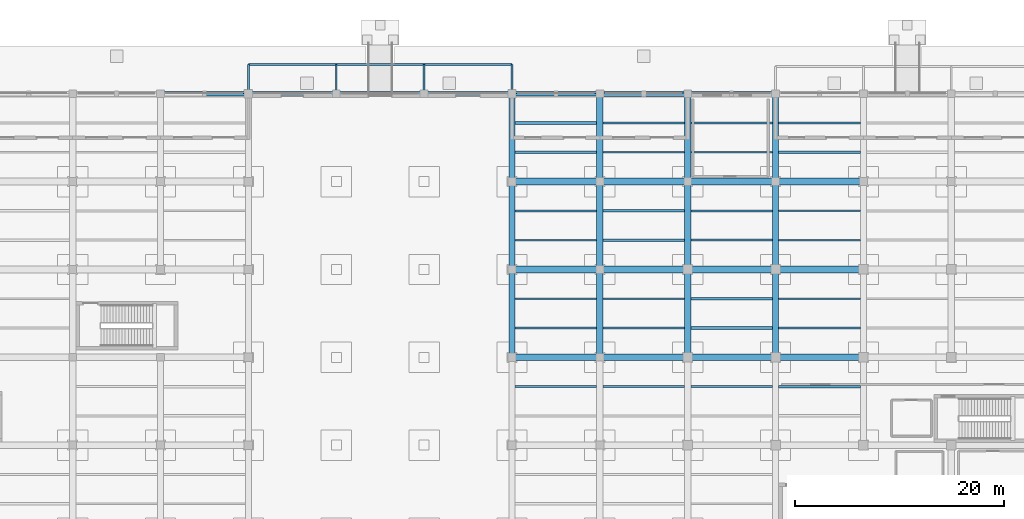
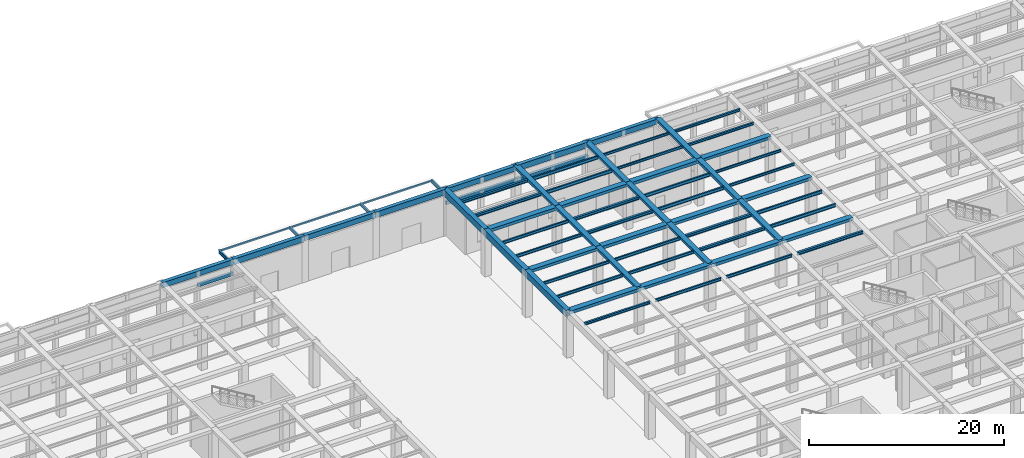
# One storey, part 11 of 43: 68 beams, 3 members.
"""IFC4 building model written with IfcOpenShell, lengths in metres."""

from ifc_helpers import new_model, si_unit, direction, frame, origin, origin_2d, place, context, subcontext, project, spatial, rectangle, hollow_rectangle, i_section, extrude, material, material_profile, profile_set, type_object, element, save


model = new_model("IFC4")

# Units and contexts
model_context = context("Model", 3, precision=1e-05, world=origin(), true_north=direction((0.0, 1.0)))
body_context = subcontext(model_context, "Body", "Model", "MODEL_VIEW")
ifc_project = project(units=[si_unit("LENGTHUNIT", "METRE"), si_unit("AREAUNIT", "SQUARE_METRE"), si_unit("VOLUMEUNIT", "CUBIC_METRE"), si_unit("PLANEANGLEUNIT", "RADIAN"), si_unit("MASSUNIT", "GRAM", prefix="KILO")], contexts=[model_context])

# Site, building, storey
site_placement = place(None, origin())
site = spatial("IfcSite", under=ifc_project, at=site_placement, CompositionType="ELEMENT")
building_placement = place(site_placement, origin())
building = spatial("IfcBuilding", under=site, at=building_placement, Name="Almacenes y Pasaje Nevantli", CompositionType="ELEMENT")
storey_placement = place(building_placement, origin())
storey = spatial("IfcBuildingStorey", under=building, at=storey_placement, Name="L01", CompositionType="ELEMENT", Elevation=0.0)

# Beams
ifc_material_1 = material(Name="Concrete C35/45", Category="concrete")
ifc_material_profile_1 = material_profile(ifc_material_1, rectangle(XDim=0.449951171875, YDim=0.64990234375, at=origin_2d()), Name="RC-BM-450x650")
ifc_profile_set_1 = profile_set([ifc_material_profile_1], Name="Concrete C35/45")
beam_type_1 = type_object("IfcBeamType", Name="BM-RC-450x650", PredefinedType="SPANDREL", material=ifc_profile_set_1)
for number, where, z_axis, x_axis, name in (
    (1, (58.800048828125, 117.60009765625, 5.375), (1.0, 0.0, 0.0), (0.0, 1.0, 0.0), "L01 East-West Reinforced Concrete Beam #1439"),
    (2, (75.60009765625, 117.60009765625, 5.375), (1.0, 0.0, 0.0), (0.0, 1.0, 0.0), "L01 East-West Reinforced Concrete Beam #1441"),
):
    element("IfcBeam", number, at=place(storey_placement, frame(where, z_axis=z_axis, x_axis=x_axis)), inside=storey, type_object=beam_type_1, Name=name, PredefinedType="SPANDREL", context=body_context, shape_type="SweptSolid", body=[
        extrude(rectangle(XDim=0.449951171875, YDim=0.64990234375, at=origin_2d()), origin(), (0.0, 0.0, 1.0), 8.39990234375),
    ])
for number, where, z_axis, x_axis, name in (
    (3, (92.39990234375, 117.60009765625, 5.375), (1.0, 0.0, 0.0), (0.0, 1.0, 0.0), "L01 East-West Reinforced Concrete Beam #1443"),
    (4, (109.199951171875, 117.60009765625, 5.375), (1.0, 0.0, 0.0), (0.0, 1.0, 0.0), "L01 East-West Reinforced Concrete Beam #1445"),
):
    element("IfcBeam", number, at=place(storey_placement, frame(where, z_axis=z_axis, x_axis=x_axis)), inside=storey, type_object=beam_type_1, Name=name, PredefinedType="SPANDREL", context=body_context, shape_type="SweptSolid", body=[
        extrude(rectangle(XDim=0.449951171875, YDim=0.64990234375, at=origin_2d()), origin(), (0.0, 0.0, 1.0), 8.400146484375),
    ])
ifc_material_2 = material(Name="Concrete C35/45", Category="concrete")
ifc_material_profile_2 = material_profile(ifc_material_2, rectangle(XDim=0.449951171875, YDim=0.699951171875, at=origin_2d()), Name="RC-BM-450x700")
ifc_profile_set_2 = profile_set([ifc_material_profile_2], Name="Concrete C35/45")
beam_type_2 = type_object("IfcBeamType", Name="BM-RC-450x700", PredefinedType="SPANDREL", material=ifc_profile_set_2)
beam_1_placement = place(storey_placement, frame((67.199951171875, 117.60009765625, 5.35009765625), z_axis=(1.0, 0.0, 0.0), x_axis=(0.0, 1.0, 0.0)))
element("IfcBeam", 5, at=beam_1_placement, inside=storey, type_object=beam_type_2, Name="L01 East-West Reinforced Concrete Beam #1440", PredefinedType="SPANDREL", context=body_context, shape_type="SweptSolid", body=[
    extrude(rectangle(XDim=0.449951171875, YDim=0.699951171875, at=origin_2d()), origin(), (0.0, 0.0, 1.0), 8.400146484375),
])
for number, where, z_axis, x_axis, name in (
    (6, (84.0, 117.60009765625, 5.35009765625), (1.0, 0.0, 0.0), (0.0, 1.0, 0.0), "L01 East-West Reinforced Concrete Beam #1442"),
    (7, (100.800048828125, 117.60009765625, 5.35009765625), (1.0, 0.0, 0.0), (0.0, 1.0, 0.0), "L01 East-West Reinforced Concrete Beam #1444"),
):
    element("IfcBeam", number, at=place(storey_placement, frame(where, z_axis=z_axis, x_axis=x_axis)), inside=storey, type_object=beam_type_2, Name=name, PredefinedType="SPANDREL", context=body_context, shape_type="SweptSolid", body=[
        extrude(rectangle(XDim=0.449951171875, YDim=0.699951171875, at=origin_2d()), origin(), (0.0, 0.0, 1.0), 8.39990234375),
    ])
ifc_material_3 = material(Name="Concrete C35/45", Category="concrete")
ifc_material_profile_3 = material_profile(ifc_material_3, rectangle(XDim=0.550048828125, YDim=0.800048828125, at=origin_2d()), Name="RC-BM-550x800")
ifc_profile_set_3 = profile_set([ifc_material_profile_3], Name="Concrete C35/45")
beam_type_3 = type_object("IfcBeamType", Name="BM-RC-550x800", PredefinedType="BEAM", material=ifc_profile_set_3)
beam_2_placement = place(storey_placement, frame((92.39990234375, 92.39990234375, 5.300048828125), z_axis=(0.0, 1.0, 0.0), x_axis=(-1.0, 0.0, 0.0)))
element("IfcBeam", 8, at=beam_2_placement, inside=storey, type_object=beam_type_3, Name="L01 North-South Reinforced Concrete Beam #1566", PredefinedType="BEAM", context=body_context, shape_type="SweptSolid", body=[
    extrude(rectangle(XDim=0.550048828125, YDim=0.800048828125, at=origin_2d()), origin(), (0.0, 0.0, 1.0), 8.400146484375),
])
beam_3_placement = place(storey_placement, frame((92.39990234375, 100.800048828125, 5.300048828125), z_axis=(0.0, 1.0, 0.0), x_axis=(-1.0, 0.0, 0.0)))
element("IfcBeam", 9, at=beam_3_placement, inside=storey, type_object=beam_type_3, Name="L01 North-South Reinforced Concrete Beam #1567", PredefinedType="BEAM", context=body_context, shape_type="SweptSolid", body=[
    extrude(rectangle(XDim=0.550048828125, YDim=0.800048828125, at=origin_2d()), origin(), (0.0, 0.0, 1.0), 8.39990234375),
])
beam_4_placement = place(storey_placement, frame((92.39990234375, 109.199951171875, 5.300048828125), z_axis=(0.0, 1.0, 0.0), x_axis=(-1.0, 0.0, 0.0)))
element("IfcBeam", 10, at=beam_4_placement, inside=storey, type_object=beam_type_3, Name="L01 North-South Reinforced Concrete Beam #1568", PredefinedType="BEAM", context=body_context, shape_type="SweptSolid", body=[
    extrude(rectangle(XDim=0.550048828125, YDim=0.800048828125, at=origin_2d()), origin(), (0.0, 0.0, 1.0), 8.400146484375),
])
ifc_material_4 = material(Name="Concrete C35/45", Category="concrete")
ifc_material_profile_4 = material_profile(ifc_material_4, rectangle(XDim=0.60009765625, YDim=0.320068359375, at=origin_2d()), Name="RC-BM-600x320")
ifc_profile_set_4 = profile_set([ifc_material_profile_4], Name="Concrete C35/45")
beam_type_4 = type_object("IfcBeamType", Name="BM-RC-600x320", PredefinedType="BEAM", material=ifc_profile_set_4)
for number, where, z_axis, x_axis, name in (
    (11, (100.800048828125, 92.39990234375, 5.5400390625), (0.0, 1.0, 0.0), (-1.0, 0.0, 0.0), "L01 North-South Reinforced Concrete Beam #1579"),
    (12, (100.800048828125, 109.199951171875, 5.5400390625), (0.0, 1.0, 0.0), (-1.0, 0.0, 0.0), "L01 North-South Reinforced Concrete Beam #1581"),
):
    element("IfcBeam", number, at=place(storey_placement, frame(where, z_axis=z_axis, x_axis=x_axis)), inside=storey, type_object=beam_type_4, Name=name, PredefinedType="BEAM", context=body_context, shape_type="SweptSolid", body=[
        extrude(rectangle(XDim=0.60009765625, YDim=0.320068359375, at=origin_2d()), origin(), (0.0, 0.0, 1.0), 8.400146484375),
    ])
beam_5_placement = place(storey_placement, frame((109.199951171875, 100.800048828125, 5.5400390625), z_axis=(0.0, 1.0, 0.0), x_axis=(-1.0, 0.0, 0.0)))
element("IfcBeam", 13, at=beam_5_placement, inside=storey, type_object=beam_type_4, Name="L01 North-South Reinforced Concrete Beam #1593", PredefinedType="BEAM", context=body_context, shape_type="SweptSolid", body=[
    extrude(rectangle(XDim=0.60009765625, YDim=0.320068359375, at=origin_2d()), origin(), (0.0, 0.0, 1.0), 8.39990234375),
])
for number, where, z_axis, x_axis, name in (
    (14, (117.60009765625, 92.39990234375, 5.5400390625), (0.0, 1.0, 0.0), (-1.0, 0.0, 0.0), "L01 North-South Reinforced Concrete Beam #1606"),
    (15, (117.60009765625, 109.199951171875, 5.5400390625), (0.0, 1.0, 0.0), (-1.0, 0.0, 0.0), "L01 North-South Reinforced Concrete Beam #1608"),
):
    element("IfcBeam", number, at=place(storey_placement, frame(where, z_axis=z_axis, x_axis=x_axis)), inside=storey, type_object=beam_type_4, Name=name, PredefinedType="BEAM", context=body_context, shape_type="SweptSolid", body=[
        extrude(rectangle(XDim=0.60009765625, YDim=0.320068359375, at=origin_2d()), origin(), (0.0, 0.0, 1.0), 8.400146484375),
    ])
ifc_material_5 = material(Name="Concrete C35/45", Category="concrete")
ifc_material_profile_5 = material_profile(ifc_material_5, rectangle(XDim=0.60009765625, YDim=0.340087890625, at=origin_2d()), Name="RC-BM-600x340")
ifc_profile_set_5 = profile_set([ifc_material_profile_5], Name="Concrete C35/45")
beam_type_5 = type_object("IfcBeamType", Name="BM-RC-600x340", PredefinedType="BEAM", material=ifc_profile_set_5)
beam_6_placement = place(storey_placement, frame((100.800048828125, 100.800048828125, 5.530029296875), z_axis=(0.0, 1.0, 0.0), x_axis=(-1.0, 0.0, 0.0)))
element("IfcBeam", 16, at=beam_6_placement, inside=storey, type_object=beam_type_5, Name="L01 North-South Reinforced Concrete Beam #1580", PredefinedType="BEAM", context=body_context, shape_type="SweptSolid", body=[
    extrude(rectangle(XDim=0.60009765625, YDim=0.340087890625, at=origin_2d()), origin(), (0.0, 0.0, 1.0), 8.39990234375),
])
for number, where, z_axis, x_axis, name in (
    (17, (109.199951171875, 92.39990234375, 5.530029296875), (0.0, 1.0, 0.0), (-1.0, 0.0, 0.0), "L01 North-South Reinforced Concrete Beam #1592"),
    (18, (109.199951171875, 109.199951171875, 5.530029296875), (0.0, 1.0, 0.0), (-1.0, 0.0, 0.0), "L01 North-South Reinforced Concrete Beam #1594"),
):
    element("IfcBeam", number, at=place(storey_placement, frame(where, z_axis=z_axis, x_axis=x_axis)), inside=storey, type_object=beam_type_5, Name=name, PredefinedType="BEAM", context=body_context, shape_type="SweptSolid", body=[
        extrude(rectangle(XDim=0.60009765625, YDim=0.340087890625, at=origin_2d()), origin(), (0.0, 0.0, 1.0), 8.400146484375),
    ])
beam_7_placement = place(storey_placement, frame((117.60009765625, 100.800048828125, 5.530029296875), z_axis=(0.0, 1.0, 0.0), x_axis=(-1.0, 0.0, 0.0)))
element("IfcBeam", 19, at=beam_7_placement, inside=storey, type_object=beam_type_5, Name="L01 North-South Reinforced Concrete Beam #1607", PredefinedType="BEAM", context=body_context, shape_type="SweptSolid", body=[
    extrude(rectangle(XDim=0.60009765625, YDim=0.340087890625, at=origin_2d()), origin(), (0.0, 0.0, 1.0), 8.39990234375),
])
ifc_material_6 = material(Name="Concrete C35/45", Category="concrete")
ifc_material_profile_6 = material_profile(ifc_material_6, rectangle(XDim=0.64990234375, YDim=0.35009765625, at=origin_2d()), Name="RC-BM-650x350")
ifc_profile_set_6 = profile_set([ifc_material_profile_6], Name="Concrete C35/45")
beam_type_6 = type_object("IfcBeamType", Name="BM-RC-650x350", PredefinedType="BEAM", material=ifc_profile_set_6)
for number, where, z_axis, x_axis, name in (
    (20, (100.800048828125, 92.39990234375, 5.52490234375), (1.0, 0.0, 0.0), (0.0, 1.0, 0.0), "L01 East-West Reinforced Concrete Beam #1390"),
    (21, (117.60009765625, 92.39990234375, 5.52490234375), (1.0, 0.0, 0.0), (0.0, 1.0, 0.0), "L01 East-West Reinforced Concrete Beam #1392"),
):
    element("IfcBeam", number, at=place(storey_placement, frame(where, z_axis=z_axis, x_axis=x_axis)), inside=storey, type_object=beam_type_6, Name=name, PredefinedType="BEAM", context=body_context, shape_type="SweptSolid", body=[
        extrude(rectangle(XDim=0.64990234375, YDim=0.35009765625, at=origin_2d()), origin(), (0.0, 0.0, 1.0), 8.39990234375),
    ])
for number, where, z_axis, x_axis, name in (
    (22, (92.39990234375, 100.800048828125, 5.52490234375), (1.0, 0.0, 0.0), (0.0, 1.0, 0.0), "L01 East-West Reinforced Concrete Beam #1406"),
    (23, (109.199951171875, 100.800048828125, 5.52490234375), (1.0, 0.0, 0.0), (0.0, 1.0, 0.0), "L01 East-West Reinforced Concrete Beam #1408"),
):
    element("IfcBeam", number, at=place(storey_placement, frame(where, z_axis=z_axis, x_axis=x_axis)), inside=storey, type_object=beam_type_6, Name=name, PredefinedType="BEAM", context=body_context, shape_type="SweptSolid", body=[
        extrude(rectangle(XDim=0.64990234375, YDim=0.35009765625, at=origin_2d()), origin(), (0.0, 0.0, 1.0), 8.400146484375),
    ])
for number, where, z_axis, x_axis, name in (
    (24, (100.800048828125, 109.199951171875, 5.52490234375), (1.0, 0.0, 0.0), (0.0, 1.0, 0.0), "L01 East-West Reinforced Concrete Beam #1424"),
    (25, (117.60009765625, 109.199951171875, 5.52490234375), (1.0, 0.0, 0.0), (0.0, 1.0, 0.0), "L01 East-West Reinforced Concrete Beam #1426"),
):
    element("IfcBeam", number, at=place(storey_placement, frame(where, z_axis=z_axis, x_axis=x_axis)), inside=storey, type_object=beam_type_6, Name=name, PredefinedType="BEAM", context=body_context, shape_type="SweptSolid", body=[
        extrude(rectangle(XDim=0.64990234375, YDim=0.35009765625, at=origin_2d()), origin(), (0.0, 0.0, 1.0), 8.39990234375),
    ])
ifc_material_7 = material(Name="Concrete C35/45", Category="concrete")
ifc_material_profile_7 = material_profile(ifc_material_7, rectangle(XDim=0.64990234375, YDim=0.3798828125, at=origin_2d()), Name="RC-BM-650x380")
ifc_profile_set_7 = profile_set([ifc_material_profile_7], Name="Concrete C35/45")
beam_type_7 = type_object("IfcBeamType", Name="BM-RC-650x380", PredefinedType="BEAM", material=ifc_profile_set_7)
for number, where, z_axis, x_axis, name in (
    (26, (92.39990234375, 92.39990234375, 5.510009765625), (1.0, 0.0, 0.0), (0.0, 1.0, 0.0), "L01 East-West Reinforced Concrete Beam #1389"),
    (27, (109.199951171875, 92.39990234375, 5.510009765625), (1.0, 0.0, 0.0), (0.0, 1.0, 0.0), "L01 East-West Reinforced Concrete Beam #1391"),
):
    element("IfcBeam", number, at=place(storey_placement, frame(where, z_axis=z_axis, x_axis=x_axis)), inside=storey, type_object=beam_type_7, Name=name, PredefinedType="BEAM", context=body_context, shape_type="SweptSolid", body=[
        extrude(rectangle(XDim=0.64990234375, YDim=0.3798828125, at=origin_2d()), origin(), (0.0, 0.0, 1.0), 8.400146484375),
    ])
for number, where, z_axis, x_axis, name in (
    (28, (100.800048828125, 100.800048828125, 5.510009765625), (1.0, 0.0, 0.0), (0.0, 1.0, 0.0), "L01 East-West Reinforced Concrete Beam #1407"),
    (29, (117.60009765625, 100.800048828125, 5.510009765625), (1.0, 0.0, 0.0), (0.0, 1.0, 0.0), "L01 East-West Reinforced Concrete Beam #1409"),
):
    element("IfcBeam", number, at=place(storey_placement, frame(where, z_axis=z_axis, x_axis=x_axis)), inside=storey, type_object=beam_type_7, Name=name, PredefinedType="BEAM", context=body_context, shape_type="SweptSolid", body=[
        extrude(rectangle(XDim=0.64990234375, YDim=0.3798828125, at=origin_2d()), origin(), (0.0, 0.0, 1.0), 8.39990234375),
    ])
for number, where, z_axis, x_axis, name in (
    (30, (92.39990234375, 109.199951171875, 5.510009765625), (1.0, 0.0, 0.0), (0.0, 1.0, 0.0), "L01 East-West Reinforced Concrete Beam #1423"),
    (31, (109.199951171875, 109.199951171875, 5.510009765625), (1.0, 0.0, 0.0), (0.0, 1.0, 0.0), "L01 East-West Reinforced Concrete Beam #1425"),
):
    element("IfcBeam", number, at=place(storey_placement, frame(where, z_axis=z_axis, x_axis=x_axis)), inside=storey, type_object=beam_type_7, Name=name, PredefinedType="BEAM", context=body_context, shape_type="SweptSolid", body=[
        extrude(rectangle(XDim=0.64990234375, YDim=0.3798828125, at=origin_2d()), origin(), (0.0, 0.0, 1.0), 8.400146484375),
    ])
ifc_material_8 = material(Name="Concrete C35/45", Category="concrete")
ifc_material_profile_8 = material_profile(ifc_material_8, rectangle(XDim=0.25, YDim=0.39990234375, at=origin_2d()), Name="RC-LIN-250x400")
ifc_profile_set_8 = profile_set([ifc_material_profile_8], Name="Concrete C35/45")
beam_type_8 = type_object("IfcBeamType", Name="BM-RC-LIN250", PredefinedType="LINTEL", material=ifc_profile_set_8)
beam_8_placement = place(storey_placement, frame((63.0, 117.5, 3.89990234375), z_axis=(1.0, 0.0, 0.0), x_axis=(0.0, 1.0, 0.0)))
element("IfcBeam", 32, at=beam_8_placement, inside=storey, type_object=beam_type_8, Name="L01 Boulevard Portales Architrave Beam 8B", PredefinedType="LINTEL", context=body_context, shape_type="SweptSolid", body=[
    extrude(rectangle(XDim=0.25, YDim=0.39990234375, at=origin_2d()), origin(), (0.0, 0.0, 1.0), 4.199951171875),
])
beam_9_placement = place(storey_placement, frame((92.39990234375, 117.5, 3.89990234375), z_axis=(1.0, 0.0, 0.0), x_axis=(0.0, 1.0, 0.0)))
element("IfcBeam", 33, at=beam_9_placement, inside=storey, type_object=beam_type_8, Name="L01 Boulevard Portales Architrave Beam 12A", PredefinedType="LINTEL", context=body_context, shape_type="SweptSolid", body=[
    extrude(rectangle(XDim=0.25, YDim=0.39990234375, at=origin_2d()), origin(), (0.0, 0.0, 1.0), 4.2001953125),
])
beam_10_placement = place(storey_placement, frame((96.60009765625, 117.5, 3.89990234375), z_axis=(1.0, 0.0, 0.0), x_axis=(0.0, 1.0, 0.0)))
element("IfcBeam", 34, at=beam_10_placement, inside=storey, type_object=beam_type_8, Name="L01 Boulevard Portales Architrave Beam 12B", PredefinedType="LINTEL", context=body_context, shape_type="SweptSolid", body=[
    extrude(rectangle(XDim=0.25, YDim=0.39990234375, at=origin_2d()), origin(), (0.0, 0.0, 1.0), 4.199951171875),
])
ifc_material_9 = material(Name="Concrete C35/45", Category="concrete")
ifc_material_profile_9 = material_profile(ifc_material_9, rectangle(XDim=0.300048828125, YDim=0.449951171875, at=origin_2d()), Name="RC-LIN-300x450")
ifc_profile_set_9 = profile_set([ifc_material_profile_9], Name="Concrete C35/45")
beam_type_9 = type_object("IfcBeamType", Name="BM-RC-LIN300", PredefinedType="LINTEL", material=ifc_profile_set_9)
for number, where, z_axis, x_axis, name in (
    (35, (100.800048828125, 117.5, 3.875), (1.0, 0.0, 0.0), (0.0, 1.0, 0.0), "L01 Boulevard Portales Architrave Beam 13A"),
    (36, (105.0, 117.5, 3.875), (1.0, 0.0, 0.0), (0.0, 1.0, 0.0), "L01 Boulevard Portales Architrave Beam 13B"),
):
    element("IfcBeam", number, at=place(storey_placement, frame(where, z_axis=z_axis, x_axis=x_axis)), inside=storey, type_object=beam_type_9, Name=name, PredefinedType="LINTEL", context=body_context, shape_type="SweptSolid", body=[
        extrude(rectangle(XDim=0.300048828125, YDim=0.449951171875, at=origin_2d()), origin(), (0.0, 0.0, 1.0), 4.199951171875),
    ])
ifc_material_10 = material(Name="Steel ASTM A992", Category="steel")
ifc_material_profile_10 = material_profile(ifc_material_10, i_section(OverallWidth=0.1650390625, OverallDepth=0.306884765625, WebThickness=0.006591796875, FlangeThickness=0.01025390625, at=origin_2d()), Name="IR 305x44.6")
ifc_profile_set_10 = profile_set([ifc_material_profile_10], Name="Steel ASTM A992")
beam_type_10 = type_object("IfcBeamType", Name="BM-STL-IR-305x44p6", PredefinedType="JOIST", material=ifc_profile_set_10)
for number, where, z_axis, x_axis, name in (
    (37, (109.5, 112.0, 5.53857421875), (1.0, 0.0, 0.0), (0.0, 1.0, 0.0), "L01 Secondary Steel Floor Joist #193"),
    (38, (109.5, 114.800048828125, 5.53857421875), (1.0, 0.0, 0.0), (0.0, 1.0, 0.0), "L01 Secondary Steel Floor Joist #194"),
    (39, (117.89990234375, 103.60009765625, 5.53857421875), (1.0, 0.0, 0.0), (0.0, 1.0, 0.0), "L01 Secondary Steel Floor Joist #215"),
    (40, (117.89990234375, 106.39990234375, 5.53857421875), (1.0, 0.0, 0.0), (0.0, 1.0, 0.0), "L01 Secondary Steel Floor Joist #216"),
):
    element("IfcBeam", number, at=place(storey_placement, frame(where, z_axis=z_axis, x_axis=x_axis)), inside=storey, type_object=beam_type_10, Name=name, PredefinedType="JOIST", context=body_context, shape_type="SweptSolid", body=[
        extrude(i_section(OverallWidth=0.1650390625, OverallDepth=0.306884765625, WebThickness=0.006591796875, FlangeThickness=0.01025390625, at=origin_2d()), origin(), (0.0, 0.0, 1.0), 7.800048828125),
    ])
ifc_material_11 = material(Name="Steel ASTM A992", Category="steel")
ifc_material_profile_11 = material_profile(ifc_material_11, i_section(OverallWidth=0.202880859375, OverallDepth=0.304931640625, WebThickness=0.007568359375, FlangeThickness=0.01318359375, at=origin_2d()), Name="IR 305x59.5")
ifc_profile_set_11 = profile_set([ifc_material_profile_11], Name="Steel ASTM A992")
beam_type_11 = type_object("IfcBeamType", Name="BM-STL-IR-305x59p5", PredefinedType="JOIST", material=ifc_profile_set_11)
for number, where, z_axis, x_axis, name in (
    (41, (117.89990234375, 112.0, 5.53955078125), (1.0, 0.0, 0.0), (0.0, 1.0, 0.0), "L01 Secondary Steel Floor Joist #217"),
    (42, (117.89990234375, 114.800048828125, 5.53955078125), (1.0, 0.0, 0.0), (0.0, 1.0, 0.0), "L01 Secondary Steel Floor Joist #218"),
):
    element("IfcBeam", number, at=place(storey_placement, frame(where, z_axis=z_axis, x_axis=x_axis)), inside=storey, type_object=beam_type_11, Name=name, PredefinedType="JOIST", context=body_context, shape_type="SweptSolid", body=[
        extrude(i_section(OverallWidth=0.202880859375, OverallDepth=0.304931640625, WebThickness=0.007568359375, FlangeThickness=0.01318359375, at=origin_2d()), origin(), (0.0, 0.0, 1.0), 7.800048828125),
    ])
ifc_material_12 = material(Name="Steel ASTM A992", Category="steel")
ifc_material_profile_12 = material_profile(ifc_material_12, i_section(OverallWidth=0.205078125, OverallDepth=0.31005859375, WebThickness=0.009521484375, FlangeThickness=0.016357421875, at=origin_2d()), Name="IR 305x74.4")
ifc_profile_set_12 = profile_set([ifc_material_profile_12], Name="Steel ASTM A992")
beam_type_12 = type_object("IfcBeamType", Name="BM-STL-IR-305x74p4", PredefinedType="JOIST", material=ifc_profile_set_12)
beam_11_placement = place(storey_placement, frame((92.675048828125, 89.60009765625, 5.537109375), z_axis=(1.0, 0.0, 0.0), x_axis=(0.0, 1.0, 0.0)))
element("IfcBeam", 43, at=beam_11_placement, inside=storey, type_object=beam_type_12, Name="L01 Secondary Steel Floor Joist #138", PredefinedType="JOIST", context=body_context, shape_type="SweptSolid", body=[
    extrude(i_section(OverallWidth=0.205078125, OverallDepth=0.31005859375, WebThickness=0.009521484375, FlangeThickness=0.016357421875, at=origin_2d()), origin(), (0.0, 0.0, 1.0), 7.824951171875),
])
ifc_material_13 = material(Name="Steel ASTM A992", Category="steel")
ifc_material_profile_13 = material_profile(ifc_material_13, i_section(OverallWidth=0.173095703125, OverallDepth=0.35302734375, WebThickness=0.0078125, FlangeThickness=0.01318359375, at=origin_2d()), Name="IR 356x56.6")
ifc_profile_set_13 = profile_set([ifc_material_profile_13], Name="Steel ASTM A992")
beam_type_13 = type_object("IfcBeamType", Name="BM-STL-IR-356x56p6", PredefinedType="JOIST", material=ifc_profile_set_13)
for number, where, z_axis, x_axis, name in (
    (44, (92.675048828125, 95.199951171875, 5.515380859375), (1.0, 0.0, 0.0), (0.0, 1.0, 0.0), "L01 Secondary Steel Floor Joist #139"),
    (45, (92.675048828125, 98.0, 5.515380859375), (1.0, 0.0, 0.0), (0.0, 1.0, 0.0), "L01 Secondary Steel Floor Joist #140"),
):
    element("IfcBeam", number, at=place(storey_placement, frame(where, z_axis=z_axis, x_axis=x_axis)), inside=storey, type_object=beam_type_13, Name=name, PredefinedType="JOIST", context=body_context, shape_type="SweptSolid", body=[
        extrude(i_section(OverallWidth=0.173095703125, OverallDepth=0.35302734375, WebThickness=0.0078125, FlangeThickness=0.01318359375, at=origin_2d()), origin(), (0.0, 0.0, 1.0), 7.824951171875),
    ])
beam_12_placement = place(storey_placement, frame((101.10009765625, 89.60009765625, 5.515380859375), z_axis=(1.0, 0.0, 0.0), x_axis=(0.0, 1.0, 0.0)))
element("IfcBeam", 46, at=beam_12_placement, inside=storey, type_object=beam_type_13, Name="L01 Secondary Steel Floor Joist #162", PredefinedType="JOIST", context=body_context, shape_type="SweptSolid", body=[
    extrude(i_section(OverallWidth=0.173095703125, OverallDepth=0.35302734375, WebThickness=0.0078125, FlangeThickness=0.01318359375, at=origin_2d()), origin(), (0.0, 0.0, 1.0), 7.7998046875),
])
ifc_material_14 = material(Name="Steel ASTM A992", Category="steel")
ifc_material_profile_14 = material_profile(ifc_material_14, i_section(OverallWidth=0.173095703125, OverallDepth=0.364013671875, WebThickness=0.009033203125, FlangeThickness=0.015625, at=origin_2d()), Name="IR 356x67.0")
ifc_profile_set_14 = profile_set([ifc_material_profile_14], Name="Steel ASTM A992")
beam_type_14 = type_object("IfcBeamType", Name="BM-STL-IR-356x67p0", PredefinedType="JOIST", material=ifc_profile_set_14)
for number, where, z_axis, x_axis, name in (
    (47, (92.675048828125, 103.60009765625, 5.510009765625), (1.0, 0.0, 0.0), (0.0, 1.0, 0.0), "L01 Secondary Steel Floor Joist #141"),
    (48, (92.675048828125, 106.39990234375, 5.510009765625), (1.0, 0.0, 0.0), (0.0, 1.0, 0.0), "L01 Secondary Steel Floor Joist #142"),
):
    element("IfcBeam", number, at=place(storey_placement, frame(where, z_axis=z_axis, x_axis=x_axis)), inside=storey, type_object=beam_type_14, Name=name, PredefinedType="JOIST", context=body_context, shape_type="SweptSolid", body=[
        extrude(i_section(OverallWidth=0.173095703125, OverallDepth=0.364013671875, WebThickness=0.009033203125, FlangeThickness=0.015625, at=origin_2d()), origin(), (0.0, 0.0, 1.0), 7.824951171875),
    ])
for number, where, z_axis, x_axis, name in (
    (49, (101.10009765625, 95.199951171875, 5.510009765625), (1.0, 0.0, 0.0), (0.0, 1.0, 0.0), "L01 Secondary Steel Floor Joist #163"),
    (50, (101.10009765625, 98.0, 5.510009765625), (1.0, 0.0, 0.0), (0.0, 1.0, 0.0), "L01 Secondary Steel Floor Joist #164"),
):
    element("IfcBeam", number, at=place(storey_placement, frame(where, z_axis=z_axis, x_axis=x_axis)), inside=storey, type_object=beam_type_14, Name=name, PredefinedType="JOIST", context=body_context, shape_type="SweptSolid", body=[
        extrude(i_section(OverallWidth=0.173095703125, OverallDepth=0.364013671875, WebThickness=0.009033203125, FlangeThickness=0.015625, at=origin_2d()), origin(), (0.0, 0.0, 1.0), 7.7998046875),
    ])
beam_13_placement = place(storey_placement, frame((109.5, 89.60009765625, 5.510009765625), z_axis=(1.0, 0.0, 0.0), x_axis=(0.0, 1.0, 0.0)))
element("IfcBeam", 51, at=beam_13_placement, inside=storey, type_object=beam_type_14, Name="L01 Secondary Steel Floor Joist #188", PredefinedType="JOIST", context=body_context, shape_type="SweptSolid", body=[
    extrude(i_section(OverallWidth=0.173095703125, OverallDepth=0.364013671875, WebThickness=0.009033203125, FlangeThickness=0.015625, at=origin_2d()), origin(), (0.0, 0.0, 1.0), 7.800048828125),
])
ifc_material_15 = material(Name="Steel ASTM A992", Category="steel")
ifc_material_profile_15 = material_profile(ifc_material_15, i_section(OverallWidth=0.25390625, OverallDepth=0.35595703125, WebThickness=0.009521484375, FlangeThickness=0.016357421875, at=origin_2d()), Name="IR 356x79.0")
ifc_profile_set_15 = profile_set([ifc_material_profile_15], Name="Steel ASTM A992")
beam_type_15 = type_object("IfcBeamType", Name="BM-STL-IR-356x79p0", PredefinedType="JOIST", material=ifc_profile_set_15)
for number, where, z_axis, x_axis, name in (
    (52, (92.675048828125, 112.0, 5.513916015625), (1.0, 0.0, 0.0), (0.0, 1.0, 0.0), "L01 Secondary Steel Floor Joist #143"),
    (53, (92.675048828125, 114.800048828125, 5.513916015625), (1.0, 0.0, 0.0), (0.0, 1.0, 0.0), "L01 Secondary Steel Floor Joist #144"),
):
    element("IfcBeam", number, at=place(storey_placement, frame(where, z_axis=z_axis, x_axis=x_axis)), inside=storey, type_object=beam_type_15, Name=name, PredefinedType="JOIST", context=body_context, shape_type="SweptSolid", body=[
        extrude(i_section(OverallWidth=0.25390625, OverallDepth=0.35595703125, WebThickness=0.009521484375, FlangeThickness=0.016357421875, at=origin_2d()), origin(), (0.0, 0.0, 1.0), 7.824951171875),
    ])
for number, where, z_axis, x_axis, name in (
    (54, (101.10009765625, 103.60009765625, 5.513916015625), (1.0, 0.0, 0.0), (0.0, 1.0, 0.0), "L01 Secondary Steel Floor Joist #165"),
    (55, (101.10009765625, 106.39990234375, 5.513916015625), (1.0, 0.0, 0.0), (0.0, 1.0, 0.0), "L01 Secondary Steel Floor Joist #166"),
):
    element("IfcBeam", number, at=place(storey_placement, frame(where, z_axis=z_axis, x_axis=x_axis)), inside=storey, type_object=beam_type_15, Name=name, PredefinedType="JOIST", context=body_context, shape_type="SweptSolid", body=[
        extrude(i_section(OverallWidth=0.25390625, OverallDepth=0.35595703125, WebThickness=0.009521484375, FlangeThickness=0.016357421875, at=origin_2d()), origin(), (0.0, 0.0, 1.0), 7.7998046875),
    ])
for number, where, z_axis, x_axis, name in (
    (56, (109.5, 95.199951171875, 5.513916015625), (1.0, 0.0, 0.0), (0.0, 1.0, 0.0), "L01 Secondary Steel Floor Joist #189"),
    (57, (109.5, 98.0, 5.513916015625), (1.0, 0.0, 0.0), (0.0, 1.0, 0.0), "L01 Secondary Steel Floor Joist #190"),
    (58, (117.89990234375, 89.60009765625, 5.513916015625), (1.0, 0.0, 0.0), (0.0, 1.0, 0.0), "L01 Secondary Steel Floor Joist #212"),
):
    element("IfcBeam", number, at=place(storey_placement, frame(where, z_axis=z_axis, x_axis=x_axis)), inside=storey, type_object=beam_type_15, Name=name, PredefinedType="JOIST", context=body_context, shape_type="SweptSolid", body=[
        extrude(i_section(OverallWidth=0.25390625, OverallDepth=0.35595703125, WebThickness=0.009521484375, FlangeThickness=0.016357421875, at=origin_2d()), origin(), (0.0, 0.0, 1.0), 7.800048828125),
    ])
ifc_material_16 = material(Name="Steel ASTM A992", Category="steel")
ifc_material_profile_16 = material_profile(ifc_material_16, i_section(OverallWidth=0.178955078125, OverallDepth=0.406005859375, WebThickness=0.0087890625, FlangeThickness=0.014404296875, at=origin_2d()), Name="IR 406x67.0")
ifc_profile_set_16 = profile_set([ifc_material_profile_16], Name="Steel ASTM A992")
beam_type_16 = type_object("IfcBeamType", Name="BM-STL-IR-406x67p0", PredefinedType="JOIST", material=ifc_profile_set_16)
for number, where, z_axis, x_axis, name in (
    (59, (101.10009765625, 112.0, 5.489013671875), (1.0, 0.0, 0.0), (0.0, 1.0, 0.0), "L01 Secondary Steel Floor Joist #167"),
    (60, (101.10009765625, 114.800048828125, 5.489013671875), (1.0, 0.0, 0.0), (0.0, 1.0, 0.0), "L01 Secondary Steel Floor Joist #168"),
):
    element("IfcBeam", number, at=place(storey_placement, frame(where, z_axis=z_axis, x_axis=x_axis)), inside=storey, type_object=beam_type_16, Name=name, PredefinedType="JOIST", context=body_context, shape_type="SweptSolid", body=[
        extrude(i_section(OverallWidth=0.178955078125, OverallDepth=0.406005859375, WebThickness=0.0087890625, FlangeThickness=0.014404296875, at=origin_2d()), origin(), (0.0, 0.0, 1.0), 7.7998046875),
    ])
for number, where, z_axis, x_axis, name in (
    (61, (109.5, 103.60009765625, 5.489013671875), (1.0, 0.0, 0.0), (0.0, 1.0, 0.0), "L01 Secondary Steel Floor Joist #191"),
    (62, (109.5, 106.39990234375, 5.489013671875), (1.0, 0.0, 0.0), (0.0, 1.0, 0.0), "L01 Secondary Steel Floor Joist #192"),
    (63, (117.89990234375, 95.199951171875, 5.489013671875), (1.0, 0.0, 0.0), (0.0, 1.0, 0.0), "L01 Secondary Steel Floor Joist #213"),
    (64, (117.89990234375, 98.0, 5.489013671875), (1.0, 0.0, 0.0), (0.0, 1.0, 0.0), "L01 Secondary Steel Floor Joist #214"),
):
    element("IfcBeam", number, at=place(storey_placement, frame(where, z_axis=z_axis, x_axis=x_axis)), inside=storey, type_object=beam_type_16, Name=name, PredefinedType="JOIST", context=body_context, shape_type="SweptSolid", body=[
        extrude(i_section(OverallWidth=0.178955078125, OverallDepth=0.406005859375, WebThickness=0.0087890625, FlangeThickness=0.014404296875, at=origin_2d()), origin(), (0.0, 0.0, 1.0), 7.800048828125),
    ])
ifc_material_17 = material(Name="Steel ASTM A992", Category="steel")
ifc_material_profile_17 = material_profile(ifc_material_17, i_section(OverallWidth=0.180908203125, OverallDepth=0.406005859375, WebThickness=0.010986328125, FlangeThickness=0.018310546875, at=origin_2d()), Name="IR 406x85.0")
ifc_profile_set_17 = profile_set([ifc_material_profile_17], Name="Steel ASTM A992")
beam_type_17 = type_object("IfcBeamType", Name="BM-STL-IR-406x85p0", PredefinedType="BEAM", material=ifc_profile_set_17)
for number, where, z_axis, x_axis, name in (
    (65, (67.199951171875, 117.60009765625, 4.909912109375), (0.0, 1.0, 0.0), (-1.0, 0.0, 0.0), "Canopy Cantilever Steel Outrigger cnp-north-portal at X=67.2"),
    (66, (75.60009765625, 117.60009765625, 4.909912109375), (0.0, 1.0, 0.0), (-1.0, 0.0, 0.0), "Canopy Cantilever Steel Outrigger cnp-north-portal at X=75.6"),
    (67, (84.0, 117.60009765625, 4.909912109375), (0.0, 1.0, 0.0), (-1.0, 0.0, 0.0), "Canopy Cantilever Steel Outrigger cnp-north-portal at X=84.0"),
    (68, (92.39990234375, 117.60009765625, 4.909912109375), (0.0, 1.0, 0.0), (-1.0, 0.0, 0.0), "Canopy Cantilever Steel Outrigger cnp-north-portal at X=92.4"),
):
    element("IfcBeam", number, at=place(storey_placement, frame(where, z_axis=z_axis, x_axis=x_axis)), inside=storey, type_object=beam_type_17, Name=name, PredefinedType="BEAM", context=body_context, shape_type="SweptSolid", body=[
        extrude(i_section(OverallWidth=0.180908203125, OverallDepth=0.406005859375, WebThickness=0.010986328125, FlangeThickness=0.018310546875, at=origin_2d()), origin(), (0.0, 0.0, 1.0), 2.7998046875),
    ])

# Members
ifc_material_18 = material(Name="Steel ASTM A500 Grade C", Category="steel")
ifc_material_profile_18 = material_profile(ifc_material_18, hollow_rectangle(XDim=0.177734375, YDim=0.177734375, WallThickness=0.0078125, at=origin_2d()), Name="OR 178x178x7.9")
ifc_profile_set_18 = profile_set([ifc_material_profile_18], Name="Steel ASTM A500 Grade C")
member_type = type_object("IfcMemberType", Name="MBR-PUR-OR178x178", PredefinedType="PURLIN", material=ifc_profile_set_18)
member_placement = place(storey_placement, frame((67.199951171875, 120.39990234375, 4.909912109375), z_axis=(1.0, 0.0, 0.0), x_axis=(0.0, 1.0, 0.0)))
element("IfcMember", 69, at=member_placement, inside=storey, type_object=member_type, Name="Canopy Fascia Steel Purlin cnp-north-portal #1", PredefinedType="PURLIN", context=body_context, shape_type="SweptSolid", body=[
    extrude(hollow_rectangle(XDim=0.177734375, YDim=0.177734375, WallThickness=0.0078125, at=origin_2d()), origin(), (0.0, 0.0, 1.0), 8.400146484375),
])
for number, where, z_axis, x_axis, name in (
    (70, (75.60009765625, 120.39990234375, 4.909912109375), (1.0, 0.0, 0.0), (0.0, 1.0, 0.0), "Canopy Fascia Steel Purlin cnp-north-portal #2"),
    (71, (84.0, 120.39990234375, 4.909912109375), (1.0, 0.0, 0.0), (0.0, 1.0, 0.0), "Canopy Fascia Steel Purlin cnp-north-portal #3"),
):
    element("IfcMember", number, at=place(storey_placement, frame(where, z_axis=z_axis, x_axis=x_axis)), inside=storey, type_object=member_type, Name=name, PredefinedType="PURLIN", context=body_context, shape_type="SweptSolid", body=[
        extrude(hollow_rectangle(XDim=0.177734375, YDim=0.177734375, WallThickness=0.0078125, at=origin_2d()), origin(), (0.0, 0.0, 1.0), 8.39990234375),
    ])

save(model, "model.ifc")
